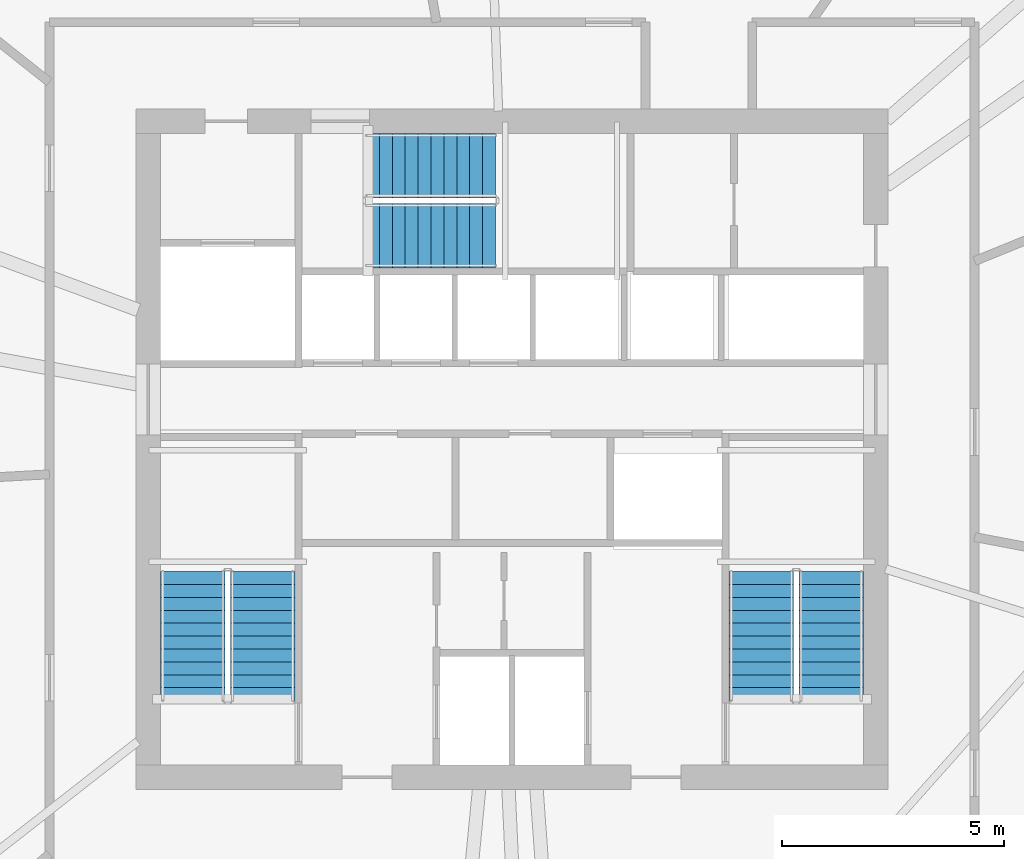
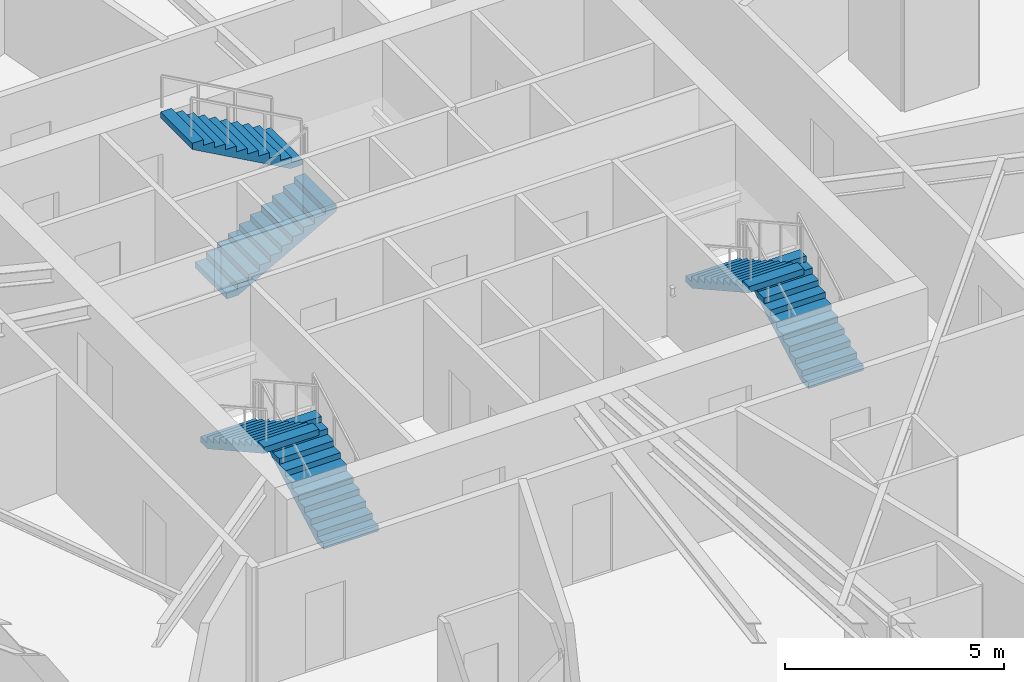
# One storey, part 11 of 14: 6 stair flights, 3 elements without a shape of their own.
"""IFC4 building model written with IfcOpenShell, lengths in metres."""

from ifc_helpers import new_model, si_unit, direction, frame, origin, place, context, subcontext, project, spatial, polyline, outline, extrude, material, type_object, element, aggregate, save


model = new_model("IFC4")

# Units and contexts
model_context = context("Model", 3, precision=1e-05, world=origin(), true_north=direction((0.0, 1.0)))
body_context = subcontext(model_context, "Body", "Model", "MODEL_VIEW")
ifc_project = project(units=[si_unit("LENGTHUNIT", "METRE"), si_unit("AREAUNIT", "SQUARE_METRE"), si_unit("VOLUMEUNIT", "CUBIC_METRE"), si_unit("PLANEANGLEUNIT", "RADIAN"), si_unit("MASSUNIT", "GRAM", prefix="KILO")], contexts=[model_context])

# Site, building, storey
site_placement = place(None, origin())
site = spatial("IfcSite", under=ifc_project, at=site_placement, CompositionType="ELEMENT")
building_placement = place(site_placement, origin())
building = spatial("IfcBuilding", under=site, at=building_placement, Name="Olszyna Solenne Hotel", CompositionType="ELEMENT")
storey_placement = place(building_placement, frame((0.0, 0.0, 185.64990234375)))
storey = spatial("IfcBuildingStorey", under=building, at=storey_placement, Name="L49", CompositionType="ELEMENT", Elevation=185.64990234375)

# Stair, stair flights
ifc_material = material(Name="Concrete C40/50", Category="concrete")
stair_type = type_object("IfcStairType", Name="STR-C1", PredefinedType="TWO_QUARTER_WINDING_STAIR", material=ifc_material)
stair_1_placement = place(storey_placement, origin())
stair_1 = element("IfcStair", 1, at=stair_1_placement, inside=storey, type_object=stair_type, Name="L49 ST1", PredefinedType="TWO_QUARTER_WINDING_STAIR")
stair_flight_type = type_object("IfcStairFlightType", Name="FLT-C1", PredefinedType="STRAIGHT", material=ifc_material)
stair_flight_1_placement = place(storey_placement, frame((32.39501953125, 20.949951171875, 0.0), z_axis=(0.0, 0.0, 1.0), x_axis=(0.0, 1.0, 0.0)))
stair_flight_1 = element("IfcStairFlight", 2, at=stair_flight_1_placement, type_object=stair_flight_type, Name="ST1 flight 1", NumberOfRisers=11, NumberOfTreads=10, PredefinedType="STRAIGHT", RiserHeight=0.161363636, TreadLength=0.29, context=body_context, shape_type="SweptSolid", body=[
    extrude(outline(polyline([(0.0, 0.0), (0.0, 0.161376953125), (0.2900390625, 0.161376953125), (0.2900390625, 0.32275390625), (0.580078125, 0.32275390625), (0.580078125, 0.484130859375), (0.8701171875, 0.484130859375), (0.8701171875, 0.6455078125), (1.159912109375, 0.6455078125), (1.159912109375, 0.806884765625), (1.449951171875, 0.806884765625), (1.449951171875, 0.96826171875), (1.739990234375, 0.96826171875), (1.739990234375, 1.129638671875), (2.030029296875, 1.129638671875), (2.030029296875, 1.291015625), (2.320068359375, 1.291015625), (2.320068359375, 1.452392578125), (2.610107421875, 1.452392578125), (2.610107421875, 1.613525390625), (2.89990234375, 1.613525390625), (2.89990234375, 1.77490234375), (2.89990234375, 1.442138671875), (0.308349609375, 0.0), (0.0, 0.0)])), frame((0.0, 0.72509765625, 0.0), z_axis=(0.0, -1.0, 0.0), x_axis=(1.0, 0.0, 0.0)), (0.0, 0.0, 1.0), 1.449951171875),
])
stair_flight_2_placement = place(storey_placement, frame((30.824951171875, 23.85009765625, 1.775146484375), z_axis=(0.0, 0.0, 1.0), x_axis=(0.0, -1.0, 0.0)))
stair_flight_2 = element("IfcStairFlight", 3, at=stair_flight_2_placement, type_object=stair_flight_type, Name="ST1 flight 2", NumberOfRisers=11, NumberOfTreads=10, PredefinedType="STRAIGHT", RiserHeight=0.161363636, TreadLength=0.29, context=body_context, shape_type="SweptSolid", body=[
    extrude(outline(polyline([(0.0, 0.0), (0.0, 0.161376953125), (0.2900390625, 0.161376953125), (0.2900390625, 0.32275390625), (0.580078125, 0.32275390625), (0.580078125, 0.484130859375), (0.8701171875, 0.484130859375), (0.8701171875, 0.6455078125), (1.159912109375, 0.6455078125), (1.159912109375, 0.806884765625), (1.449951171875, 0.806884765625), (1.449951171875, 0.96826171875), (1.739990234375, 0.96826171875), (1.739990234375, 1.129638671875), (2.030029296875, 1.129638671875), (2.030029296875, 1.291015625), (2.320068359375, 1.291015625), (2.320068359375, 1.452392578125), (2.610107421875, 1.452392578125), (2.610107421875, 1.613525390625), (2.89990234375, 1.613525390625), (2.89990234375, 1.77490234375), (2.89990234375, 1.442138671875), (0.308349609375, 0.0), (0.0, 0.0)])), frame((0.0, 0.72509765625, 0.0), z_axis=(0.0, -1.0, 0.0), x_axis=(1.0, 0.0, 0.0)), (0.0, 0.0, 1.0), 1.449951171875),
])
aggregate(stair_1, [stair_flight_1, stair_flight_2])

stair_2_placement = place(storey_placement, origin())
stair_2 = element("IfcStair", 4, at=stair_2_placement, inside=storey, type_object=stair_type, Name="L49 ST2", PredefinedType="TWO_QUARTER_WINDING_STAIR")
stair_flight_3_placement = place(storey_placement, frame((45.175048828125, 20.949951171875, 0.0), z_axis=(0.0, 0.0, 1.0), x_axis=(0.0, 1.0, 0.0)))
stair_flight_3 = element("IfcStairFlight", 5, at=stair_flight_3_placement, type_object=stair_flight_type, Name="ST2 flight 1", NumberOfRisers=11, NumberOfTreads=10, PredefinedType="STRAIGHT", RiserHeight=0.161363636, TreadLength=0.29, context=body_context, shape_type="SweptSolid", body=[
    extrude(outline(polyline([(0.0, 0.0), (0.0, 0.161376953125), (0.2900390625, 0.161376953125), (0.2900390625, 0.32275390625), (0.580078125, 0.32275390625), (0.580078125, 0.484130859375), (0.8701171875, 0.484130859375), (0.8701171875, 0.6455078125), (1.159912109375, 0.6455078125), (1.159912109375, 0.806884765625), (1.449951171875, 0.806884765625), (1.449951171875, 0.96826171875), (1.739990234375, 0.96826171875), (1.739990234375, 1.129638671875), (2.030029296875, 1.129638671875), (2.030029296875, 1.291015625), (2.320068359375, 1.291015625), (2.320068359375, 1.452392578125), (2.610107421875, 1.452392578125), (2.610107421875, 1.613525390625), (2.89990234375, 1.613525390625), (2.89990234375, 1.77490234375), (2.89990234375, 1.442138671875), (0.308349609375, 0.0), (0.0, 0.0)])), frame((0.0, 0.72509765625, 0.0), z_axis=(0.0, -1.0, 0.0), x_axis=(1.0, 0.0, 0.0)), (0.0, 0.0, 1.0), 1.449951171875),
])
stair_flight_4_placement = place(storey_placement, frame((43.60498046875, 23.85009765625, 1.775146484375), z_axis=(0.0, 0.0, 1.0), x_axis=(0.0, -1.0, 0.0)))
stair_flight_4 = element("IfcStairFlight", 6, at=stair_flight_4_placement, type_object=stair_flight_type, Name="ST2 flight 2", NumberOfRisers=11, NumberOfTreads=10, PredefinedType="STRAIGHT", RiserHeight=0.161363636, TreadLength=0.29, context=body_context, shape_type="SweptSolid", body=[
    extrude(outline(polyline([(0.0, 0.0), (0.0, 0.161376953125), (0.2900390625, 0.161376953125), (0.2900390625, 0.32275390625), (0.580078125, 0.32275390625), (0.580078125, 0.484130859375), (0.8701171875, 0.484130859375), (0.8701171875, 0.6455078125), (1.159912109375, 0.6455078125), (1.159912109375, 0.806884765625), (1.449951171875, 0.806884765625), (1.449951171875, 0.96826171875), (1.739990234375, 0.96826171875), (1.739990234375, 1.129638671875), (2.030029296875, 1.129638671875), (2.030029296875, 1.291015625), (2.320068359375, 1.291015625), (2.320068359375, 1.452392578125), (2.610107421875, 1.452392578125), (2.610107421875, 1.613525390625), (2.89990234375, 1.613525390625), (2.89990234375, 1.77490234375), (2.89990234375, 1.442138671875), (0.308349609375, 0.0), (0.0, 0.0)])), frame((0.0, 0.72509765625, 0.0), z_axis=(0.0, -1.0, 0.0), x_axis=(1.0, 0.0, 0.0)), (0.0, 0.0, 1.0), 1.449951171875),
])
aggregate(stair_2, [stair_flight_3, stair_flight_4])

stair_3_placement = place(storey_placement, origin())
stair_3 = element("IfcStair", 7, at=stair_3_placement, inside=storey, type_object=stair_type, Name="L49 ST3", PredefinedType="TWO_QUARTER_WINDING_STAIR")
stair_flight_5_placement = place(storey_placement, frame((34.72998046875, 31.405029296875, 0.0), z_axis=(0.0, 0.0, 1.0), x_axis=(1.0, 0.0, 0.0)))
stair_flight_5 = element("IfcStairFlight", 8, at=stair_flight_5_placement, type_object=stair_flight_type, Name="ST3 flight 1", NumberOfRisers=11, NumberOfTreads=10, PredefinedType="STRAIGHT", RiserHeight=0.161363636, TreadLength=0.29, context=body_context, shape_type="SweptSolid", body=[
    extrude(outline(polyline([(0.0, 0.0), (0.0, 0.161376953125), (0.2900390625, 0.161376953125), (0.2900390625, 0.32275390625), (0.580078125, 0.32275390625), (0.580078125, 0.484130859375), (0.8701171875, 0.484130859375), (0.8701171875, 0.6455078125), (1.159912109375, 0.6455078125), (1.159912109375, 0.806884765625), (1.449951171875, 0.806884765625), (1.449951171875, 0.96826171875), (1.739990234375, 0.96826171875), (1.739990234375, 1.129638671875), (2.030029296875, 1.129638671875), (2.030029296875, 1.291015625), (2.320068359375, 1.291015625), (2.320068359375, 1.452392578125), (2.610107421875, 1.452392578125), (2.610107421875, 1.613525390625), (2.89990234375, 1.613525390625), (2.89990234375, 1.77490234375), (2.89990234375, 1.442138671875), (0.308349609375, 0.0), (0.0, 0.0)])), frame((0.0, 0.72509765625, 0.0), z_axis=(0.0, -1.0, 0.0), x_axis=(1.0, 0.0, 0.0)), (0.0, 0.0, 1.0), 1.449951171875),
])
stair_flight_6_placement = place(storey_placement, frame((37.6298828125, 32.97509765625, 1.775146484375), z_axis=(0.0, 0.0, 1.0), x_axis=(-1.0, 0.0, 0.0)))
stair_flight_6 = element("IfcStairFlight", 9, at=stair_flight_6_placement, type_object=stair_flight_type, Name="ST3 flight 2", NumberOfRisers=11, NumberOfTreads=10, PredefinedType="STRAIGHT", RiserHeight=0.161363636, TreadLength=0.29, context=body_context, shape_type="SweptSolid", body=[
    extrude(outline(polyline([(0.0, 0.0), (0.0, 0.161376953125), (0.2900390625, 0.161376953125), (0.2900390625, 0.32275390625), (0.580078125, 0.32275390625), (0.580078125, 0.484130859375), (0.8701171875, 0.484130859375), (0.8701171875, 0.6455078125), (1.159912109375, 0.6455078125), (1.159912109375, 0.806884765625), (1.449951171875, 0.806884765625), (1.449951171875, 0.96826171875), (1.739990234375, 0.96826171875), (1.739990234375, 1.129638671875), (2.030029296875, 1.129638671875), (2.030029296875, 1.291015625), (2.320068359375, 1.291015625), (2.320068359375, 1.452392578125), (2.610107421875, 1.452392578125), (2.610107421875, 1.613525390625), (2.89990234375, 1.613525390625), (2.89990234375, 1.77490234375), (2.89990234375, 1.442138671875), (0.308349609375, 0.0), (0.0, 0.0)])), frame((0.0, 0.72509765625, 0.0), z_axis=(0.0, -1.0, 0.0), x_axis=(1.0, 0.0, 0.0)), (0.0, 0.0, 1.0), 1.449951171875),
])
aggregate(stair_3, [stair_flight_5, stair_flight_6])

save(model, "model.ifc")
